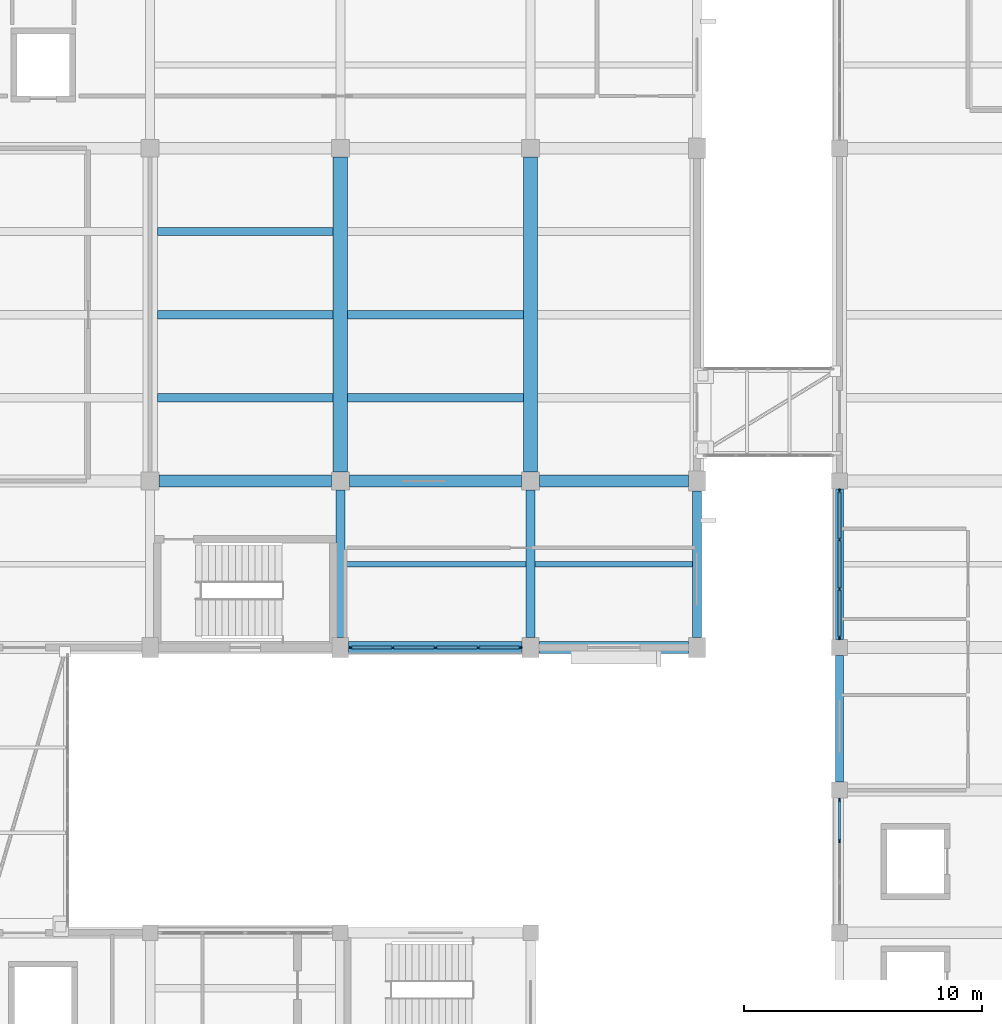
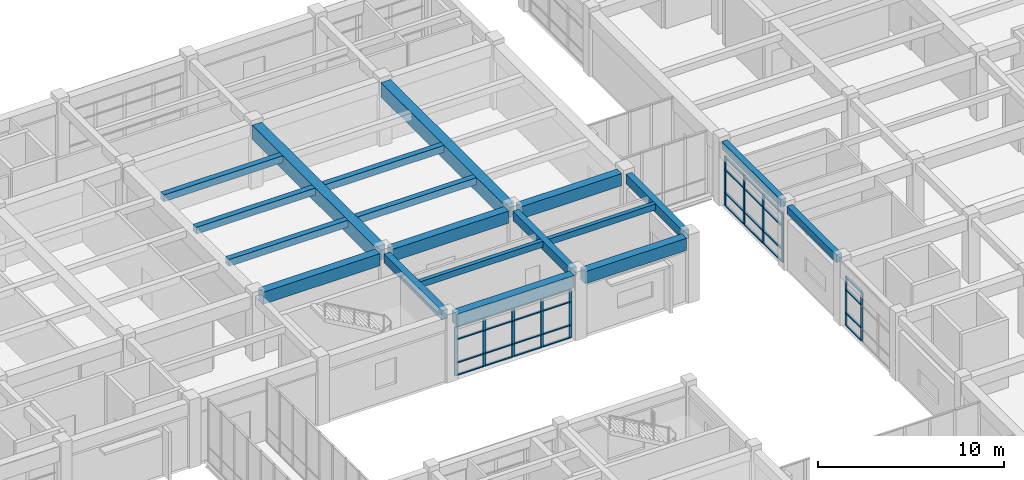
# One storey, part 27 of 72: 43 members, 19 beams, 3 elements without a shape of their own.
"""IFC4 building model written with IfcOpenShell, lengths in metres."""

from ifc_helpers import new_model, si_unit, direction, frame, origin, origin_2d, place, context, subcontext, project, spatial, rectangle, extrude, material, layer, layer_set, material_profile, profile_set, type_object, element, aggregate, save


model = new_model("IFC4")

# Units and contexts
model_context = context("Model", 3, precision=1e-05, world=origin(), true_north=direction((0.0, 1.0)))
body_context = subcontext(model_context, "Body", "Model", "MODEL_VIEW")
ifc_project = project(units=[si_unit("LENGTHUNIT", "METRE"), si_unit("AREAUNIT", "SQUARE_METRE"), si_unit("VOLUMEUNIT", "CUBIC_METRE"), si_unit("PLANEANGLEUNIT", "RADIAN"), si_unit("MASSUNIT", "GRAM", prefix="KILO")], contexts=[model_context])

# Site, building, storey
site_placement = place(None, origin())
site = spatial("IfcSite", under=ifc_project, at=site_placement, CompositionType="ELEMENT")
building_placement = place(site_placement, origin())
building = spatial("IfcBuilding", under=site, at=building_placement, Name="Naurynzar Civic Courthouse", CompositionType="ELEMENT")
storey_placement = place(building_placement, frame((0.0, 0.0, 9.89990234375)))
storey = spatial("IfcBuildingStorey", under=building, at=storey_placement, Name="L03", CompositionType="ELEMENT", Elevation=9.89990234375)

# Beams
ifc_material_1 = material(Name="Concrete C40/50", Category="concrete")
ifc_material_profile_1 = material_profile(ifc_material_1, rectangle(XDim=0.25, YDim=0.39990234375, at=origin_2d()), Name="RCB 250x400")
ifc_profile_set_1 = profile_set([ifc_material_profile_1], Name="Concrete C40/50")
beam_type_1 = type_object("IfcBeamType", Name="BM-JST-250x400", PredefinedType="JOIST", material=ifc_profile_set_1)
beam_1_placement = place(storey_placement, frame((109.1875, 47.5, 4.0), z_axis=(1.0, 0.0, 0.0), x_axis=(0.0, 1.0, 0.0)))
element("IfcBeam", 1, at=beam_1_placement, inside=storey, type_object=beam_type_1, Name="V2 secondary rib 622 L03", PredefinedType="JOIST", context=body_context, shape_type="SweptSolid", body=[
    extrude(rectangle(XDim=0.25, YDim=0.39990234375, at=origin_2d()), origin(), (0.0, 0.0, 1.0), 7.625),
])
beam_2_placement = place(storey_placement, frame((117.1875, 47.5, 4.0), z_axis=(1.0, 0.0, 0.0), x_axis=(0.0, 1.0, 0.0)))
element("IfcBeam", 2, at=beam_2_placement, inside=storey, type_object=beam_type_1, Name="V2 secondary rib 623 L03", PredefinedType="JOIST", context=body_context, shape_type="SweptSolid", body=[
    extrude(rectangle(XDim=0.25, YDim=0.39990234375, at=origin_2d()), origin(), (0.0, 0.0, 1.0), 6.625),
])
ifc_material_2 = material(Name="Concrete C40/50", Category="concrete")
ifc_material_profile_2 = material_profile(ifc_material_2, rectangle(XDim=0.60009765625, YDim=0.949951171875, at=origin_2d()), Name="PTB 600x950")
ifc_profile_set_2 = profile_set([ifc_material_profile_2], Name="Concrete C40/50")
beam_type_2 = type_object("IfcBeamType", Name="BM-PT-600x950", PredefinedType="T_BEAM", material=ifc_profile_set_2)
for number, where, z_axis, x_axis, name in (
    (3, (109.0, 51.375, 3.72509765625), (0.0, 1.0, 0.0), (-1.0, 0.0, 0.0), "V2 girder Y-612 L03"),
    (4, (117.0, 51.375, 3.72509765625), (0.0, 1.0, 0.0), (-1.0, 0.0, 0.0), "V2 girder Y-615 L03"),
):
    element("IfcBeam", number, at=place(storey_placement, frame(where, z_axis=z_axis, x_axis=x_axis)), inside=storey, type_object=beam_type_2, Name=name, PredefinedType="T_BEAM", context=body_context, shape_type="SweptSolid", body=[
        extrude(rectangle(XDim=0.60009765625, YDim=0.949951171875, at=origin_2d()), origin(), (0.0, 0.0, 1.0), 13.25),
    ])
ifc_material_3 = material(Name="Concrete C40/50", Category="concrete")
ifc_material_profile_3 = material_profile(ifc_material_3, rectangle(XDim=0.35009765625, YDim=0.449951171875, at=origin_2d()), Name="RCB 350x450")
ifc_profile_set_3 = profile_set([ifc_material_profile_3], Name="Concrete C40/50")
beam_type_3 = type_object("IfcBeamType", Name="BM-RC-350x450", PredefinedType="BEAM", material=ifc_profile_set_3)
for number, where, z_axis, x_axis, name in (
    (5, (101.300048828125, 54.5, 3.97509765625), (1.0, 0.0, 0.0), (0.0, 1.0, 0.0), "V2 secondary rib 639 L03"),
    (6, (101.300048828125, 58.0, 3.97509765625), (1.0, 0.0, 0.0), (0.0, 1.0, 0.0), "V2 secondary rib 640 L03"),
    (7, (101.300048828125, 61.5, 3.97509765625), (1.0, 0.0, 0.0), (0.0, 1.0, 0.0), "V2 secondary rib 641 L03"),
    (8, (109.300048828125, 54.5, 3.97509765625), (1.0, 0.0, 0.0), (0.0, 1.0, 0.0), "V2 secondary rib 642 L03"),
    (9, (109.300048828125, 58.0, 3.97509765625), (1.0, 0.0, 0.0), (0.0, 1.0, 0.0), "V2 secondary rib 643 L03"),
):
    element("IfcBeam", number, at=place(storey_placement, frame(where, z_axis=z_axis, x_axis=x_axis)), inside=storey, type_object=beam_type_3, Name=name, PredefinedType="BEAM", context=body_context, shape_type="SweptSolid", body=[
        extrude(rectangle(XDim=0.35009765625, YDim=0.449951171875, at=origin_2d()), origin(), (0.0, 0.0, 1.0), 7.39990234375),
    ])
ifc_material_4 = material(Name="Concrete C40/50", Category="concrete")
ifc_material_profile_4 = material_profile(ifc_material_4, rectangle(XDim=0.35009765625, YDim=0.5, at=origin_2d()), Name="RCB 350x500")
ifc_profile_set_4 = profile_set([ifc_material_profile_4], Name="Concrete C40/50")
beam_type_4 = type_object("IfcBeamType", Name="BM-RC-350x500", PredefinedType="BEAM", material=ifc_profile_set_4)
beam_3_placement = place(storey_placement, frame((130.0, 38.33740234375, 3.9501953125), z_axis=(0.0, 1.0, 0.0), x_axis=(-1.0, 0.0, 0.0)))
element("IfcBeam", 10, at=beam_3_placement, inside=storey, type_object=beam_type_4, Name="V5 girder Y-2428 L03", PredefinedType="BEAM", context=body_context, shape_type="SweptSolid", body=[
    extrude(rectangle(XDim=0.35009765625, YDim=0.5, at=origin_2d()), origin(), (0.0, 0.0, 1.0), 5.3251953125),
])
beam_4_placement = place(storey_placement, frame((130.0, 44.33740234375, 3.9501953125), z_axis=(0.0, 1.0, 0.0), x_axis=(-1.0, 0.0, 0.0)))
element("IfcBeam", 11, at=beam_4_placement, inside=storey, type_object=beam_type_4, Name="V5 girder Y-2429 L03", PredefinedType="BEAM", context=body_context, shape_type="SweptSolid", body=[
    extrude(rectangle(XDim=0.35009765625, YDim=0.5, at=origin_2d()), origin(), (0.0, 0.0, 1.0), 6.3251953125),
])
ifc_material_5 = material(Name="Concrete C40/50", Category="concrete")
ifc_material_profile_5 = material_profile(ifc_material_5, rectangle(XDim=0.375, YDim=0.60009765625, at=origin_2d()), Name="RCB 375x600")
ifc_profile_set_5 = profile_set([ifc_material_profile_5], Name="Concrete C40/50")
beam_type_5 = type_object("IfcBeamType", Name="BM-RC-375x600", PredefinedType="BEAM", material=ifc_profile_set_5)
for number, where, z_axis, x_axis, name in (
    (12, (109.0, 44.425048828125, 3.900146484375), (0.0, 1.0, 0.0), (-1.0, 0.0, 0.0), "V2 girder Y-611 L03"),
    (13, (117.0, 44.425048828125, 3.900146484375), (0.0, 1.0, 0.0), (-1.0, 0.0, 0.0), "V2 girder Y-614 L03"),
):
    element("IfcBeam", number, at=place(storey_placement, frame(where, z_axis=z_axis, x_axis=x_axis)), inside=storey, type_object=beam_type_5, Name=name, PredefinedType="BEAM", context=body_context, shape_type="SweptSolid", body=[
        extrude(rectangle(XDim=0.375, YDim=0.60009765625, at=origin_2d()), origin(), (0.0, 0.0, 1.0), 6.199951171875),
    ])
beam_5_placement = place(storey_placement, frame((124.0, 44.425048828125, 3.900146484375), z_axis=(0.0, 1.0, 0.0), x_axis=(-1.0, 0.0, 0.0)))
element("IfcBeam", 14, at=beam_5_placement, inside=storey, type_object=beam_type_5, Name="V2 girder Y-617 L03", PredefinedType="BEAM", context=body_context, shape_type="SweptSolid", body=[
    extrude(rectangle(XDim=0.375, YDim=0.60009765625, at=origin_2d()), origin(), (0.0, 0.0, 1.0), 6.14990234375),
])
ifc_material_6 = material(Name="Concrete C40/50", Category="concrete")
ifc_material_profile_6 = material_profile(ifc_material_6, rectangle(XDim=0.5, YDim=0.800048828125, at=origin_2d()), Name="RCB 500x800")
ifc_profile_set_6 = profile_set([ifc_material_profile_6], Name="Concrete C40/50")
beam_type_6 = type_object("IfcBeamType", Name="BM-RC-500x800", PredefinedType="BEAM", material=ifc_profile_set_6)
beam_6_placement = place(storey_placement, frame((109.35009765625, 44.0, 3.800048828125), z_axis=(1.0, 0.0, 0.0), x_axis=(0.0, 1.0, 0.0)))
element("IfcBeam", 15, at=beam_6_placement, inside=storey, type_object=beam_type_6, Name="V2 beam X-567 L03", PredefinedType="BEAM", context=body_context, shape_type="SweptSolid", body=[
    extrude(rectangle(XDim=0.5, YDim=0.800048828125, at=origin_2d()), origin(), (0.0, 0.0, 1.0), 7.2998046875),
])
beam_7_placement = place(storey_placement, frame((117.35009765625, 44.0, 3.800048828125), z_axis=(1.0, 0.0, 0.0), x_axis=(0.0, 1.0, 0.0)))
element("IfcBeam", 16, at=beam_7_placement, inside=storey, type_object=beam_type_6, Name="V2 beam X-568 L03", PredefinedType="BEAM", context=body_context, shape_type="SweptSolid", body=[
    extrude(rectangle(XDim=0.5, YDim=0.800048828125, at=origin_2d()), origin(), (0.0, 0.0, 1.0), 6.2998046875),
])
for number, where, z_axis, x_axis, name in (
    (17, (101.375, 51.0, 3.800048828125), (1.0, 0.0, 0.0), (0.0, 1.0, 0.0), "V2 beam X-574 L03"),
    (18, (109.375, 51.0, 3.800048828125), (1.0, 0.0, 0.0), (0.0, 1.0, 0.0), "V2 beam X-575 L03"),
):
    element("IfcBeam", number, at=place(storey_placement, frame(where, z_axis=z_axis, x_axis=x_axis)), inside=storey, type_object=beam_type_6, Name=name, PredefinedType="BEAM", context=body_context, shape_type="SweptSolid", body=[
        extrude(rectangle(XDim=0.5, YDim=0.800048828125, at=origin_2d()), origin(), (0.0, 0.0, 1.0), 7.25),
    ])
beam_8_placement = place(storey_placement, frame((117.375, 51.0, 3.800048828125), z_axis=(1.0, 0.0, 0.0), x_axis=(0.0, 1.0, 0.0)))
element("IfcBeam", 19, at=beam_8_placement, inside=storey, type_object=beam_type_6, Name="V2 beam X-576 L03", PredefinedType="BEAM", context=body_context, shape_type="SweptSolid", body=[
    extrude(rectangle(XDim=0.5, YDim=0.800048828125, at=origin_2d()), origin(), (0.0, 0.0, 1.0), 6.27490234375),
])

# Curtain wall, members
ifc_material_7 = material(Name="Aluminium 6063-T6", Category="aluminium")
ifc_layer = layer(ifc_material_7, 0.159912109375)
ifc_layer_set = layer_set([ifc_layer], Name="CW-UNIT-1800")
curtain_wall_type = type_object("IfcCurtainWallType", Name="CW-UNIT-1800", PredefinedType="NOTDEFINED", material=ifc_layer_set)
curtain_wall_1_placement = place(storey_placement, origin())
curtain_wall_1 = element("IfcCurtainWall", 20, at=curtain_wall_1_placement, inside=storey, type_object=curtain_wall_type, Name="V2 unitised curtain wall 28 L03", PredefinedType="NOTDEFINED")
ifc_material_8 = material(Name="Aluminium 6063-T6", Category="aluminium")
ifc_material_profile_7 = material_profile(ifc_material_8, rectangle(XDim=0.070068359375, YDim=0.179931640625, at=origin_2d()), Name="ALU MULLION 70x180")
ifc_profile_set_7 = profile_set([ifc_material_profile_7], Name="Aluminium 6063-T6")
member_type_1 = type_object("IfcMemberType", Name="CWM-70x180", PredefinedType="MULLION", material=ifc_profile_set_7)
member_1_placement = place(storey_placement, frame((116.56494140625, 44.0, 0.0), z_axis=(0.0, 0.0, 1.0), x_axis=(0.0, -1.0, 0.0)))
member_1 = element("IfcMember", 21, at=member_1_placement, type_object=member_type_1, Name="CW-02 mullion 1", PredefinedType="MULLION", context=body_context, shape_type="SweptSolid", body=[
    extrude(rectangle(XDim=0.070068359375, YDim=0.179931640625, at=origin_2d()), origin(), (0.0, 0.0, 1.0), 3.22998046875),
])
member_2_placement = place(storey_placement, frame((114.800048828125, 44.0, 0.0), z_axis=(0.0, 0.0, 1.0), x_axis=(0.0, -1.0, 0.0)))
member_2 = element("IfcMember", 22, at=member_2_placement, type_object=member_type_1, Name="CW-02 mullion 2", PredefinedType="MULLION", context=body_context, shape_type="SweptSolid", body=[
    extrude(rectangle(XDim=0.070068359375, YDim=0.179931640625, at=origin_2d()), origin(), (0.0, 0.0, 1.0), 3.22998046875),
])
member_3_placement = place(storey_placement, frame((113.0, 44.0, 0.0), z_axis=(0.0, 0.0, 1.0), x_axis=(0.0, -1.0, 0.0)))
member_3 = element("IfcMember", 23, at=member_3_placement, type_object=member_type_1, Name="CW-02 mullion 3", PredefinedType="MULLION", context=body_context, shape_type="SweptSolid", body=[
    extrude(rectangle(XDim=0.070068359375, YDim=0.179931640625, at=origin_2d()), origin(), (0.0, 0.0, 1.0), 3.22998046875),
])
member_4_placement = place(storey_placement, frame((111.199951171875, 44.0, 0.0), z_axis=(0.0, 0.0, 1.0), x_axis=(0.0, -1.0, 0.0)))
member_4 = element("IfcMember", 24, at=member_4_placement, type_object=member_type_1, Name="CW-02 mullion 4", PredefinedType="MULLION", context=body_context, shape_type="SweptSolid", body=[
    extrude(rectangle(XDim=0.070068359375, YDim=0.179931640625, at=origin_2d()), origin(), (0.0, 0.0, 1.0), 3.22998046875),
])
member_5_placement = place(storey_placement, frame((109.43505859375, 44.0, 0.0), z_axis=(0.0, 0.0, 1.0), x_axis=(0.0, -1.0, 0.0)))
member_5 = element("IfcMember", 25, at=member_5_placement, type_object=member_type_1, Name="CW-02 mullion 5", PredefinedType="MULLION", context=body_context, shape_type="SweptSolid", body=[
    extrude(rectangle(XDim=0.070068359375, YDim=0.179931640625, at=origin_2d()), origin(), (0.0, 0.0, 1.0), 3.22998046875),
])

curtain_wall_2_placement = place(storey_placement, origin())
curtain_wall_2 = element("IfcCurtainWall", 26, at=curtain_wall_2_placement, inside=storey, type_object=curtain_wall_type, Name="V5 unitised curtain wall 91 L03", PredefinedType="NOTDEFINED")
member_6_placement = place(storey_placement, frame((130.0, 35.870849609375, 0.0), z_axis=(0.0, 0.0, 1.0), x_axis=(-1.0, 0.0, 0.0)))
member_6 = element("IfcMember", 27, at=member_6_placement, type_object=member_type_1, Name="CW-02 mullion 3", PredefinedType="MULLION", context=body_context, shape_type="SweptSolid", body=[
    extrude(rectangle(XDim=0.070068359375, YDim=0.179931640625, at=origin_2d()), origin(), (0.0, 0.0, 1.0), 3.22998046875),
])
member_7_placement = place(storey_placement, frame((130.0, 37.577392578125, 0.0), z_axis=(0.0, 0.0, 1.0), x_axis=(-1.0, 0.0, 0.0)))
member_7 = element("IfcMember", 28, at=member_7_placement, type_object=member_type_1, Name="CW-02 mullion 4", PredefinedType="MULLION", context=body_context, shape_type="SweptSolid", body=[
    extrude(rectangle(XDim=0.070068359375, YDim=0.179931640625, at=origin_2d()), origin(), (0.0, 0.0, 1.0), 3.22998046875),
])

curtain_wall_3_placement = place(storey_placement, origin())
curtain_wall_3 = element("IfcCurtainWall", 29, at=curtain_wall_3_placement, inside=storey, type_object=curtain_wall_type, Name="V5 unitised curtain wall 92 L03", PredefinedType="NOTDEFINED")
member_8_placement = place(storey_placement, frame((130.0, 44.422607421875, 0.0), z_axis=(0.0, 0.0, 1.0), x_axis=(-1.0, 0.0, 0.0)))
member_8 = element("IfcMember", 30, at=member_8_placement, type_object=member_type_1, Name="CW-02 mullion 1", PredefinedType="MULLION", context=body_context, shape_type="SweptSolid", body=[
    extrude(rectangle(XDim=0.070068359375, YDim=0.179931640625, at=origin_2d()), origin(), (0.0, 0.0, 1.0), 3.22998046875),
])
member_9_placement = place(storey_placement, frame((130.0, 46.46240234375, 0.0), z_axis=(0.0, 0.0, 1.0), x_axis=(-1.0, 0.0, 0.0)))
member_9 = element("IfcMember", 31, at=member_9_placement, type_object=member_type_1, Name="CW-02 mullion 2", PredefinedType="MULLION", context=body_context, shape_type="SweptSolid", body=[
    extrude(rectangle(XDim=0.070068359375, YDim=0.179931640625, at=origin_2d()), origin(), (0.0, 0.0, 1.0), 3.22998046875),
])
member_10_placement = place(storey_placement, frame((130.0, 48.53759765625, 0.0), z_axis=(0.0, 0.0, 1.0), x_axis=(-1.0, 0.0, 0.0)))
member_10 = element("IfcMember", 32, at=member_10_placement, type_object=member_type_1, Name="CW-02 mullion 3", PredefinedType="MULLION", context=body_context, shape_type="SweptSolid", body=[
    extrude(rectangle(XDim=0.070068359375, YDim=0.179931640625, at=origin_2d()), origin(), (0.0, 0.0, 1.0), 3.22998046875),
])
member_11_placement = place(storey_placement, frame((130.0, 50.577392578125, 0.0), z_axis=(0.0, 0.0, 1.0), x_axis=(-1.0, 0.0, 0.0)))
member_11 = element("IfcMember", 33, at=member_11_placement, type_object=member_type_1, Name="CW-02 mullion 4", PredefinedType="MULLION", context=body_context, shape_type="SweptSolid", body=[
    extrude(rectangle(XDim=0.070068359375, YDim=0.179931640625, at=origin_2d()), origin(), (0.0, 0.0, 1.0), 3.22998046875),
])

# Member
ifc_material_9 = material(Name="Aluminium 6063-T6", Category="aluminium")
ifc_material_profile_8 = material_profile(ifc_material_9, rectangle(XDim=0.1298828125, YDim=0.070068359375, at=origin_2d()), Name="ALU TRANSOM 70x130")
ifc_profile_set_8 = profile_set([ifc_material_profile_8], Name="Aluminium 6063-T6")
member_type_2 = type_object("IfcMemberType", Name="CWT-70x130", PredefinedType="USERDEFINED", material=ifc_profile_set_8)
member_12_placement = place(storey_placement, frame((116.530029296875, 44.0, 0.03515625), z_axis=(-1.0, 0.0, 0.0), x_axis=(0.0, -1.0, 0.0)))
member_12 = element("IfcMember", 34, at=member_12_placement, type_object=member_type_2, Name="CW-02 transom 1.1", ObjectType="TRANSOM", PredefinedType="USERDEFINED", context=body_context, shape_type="SweptSolid", body=[
    extrude(rectangle(XDim=0.1298828125, YDim=0.070068359375, at=origin_2d()), origin(), (0.0, 0.0, 1.0), 1.695068359375),
])

member_13_placement = place(storey_placement, frame((116.530029296875, 44.0, 0.85009765625), z_axis=(-1.0, 0.0, 0.0), x_axis=(0.0, -1.0, 0.0)))
member_13 = element("IfcMember", 35, at=member_13_placement, type_object=member_type_2, Name="CW-02 transom 1.2", ObjectType="TRANSOM", PredefinedType="USERDEFINED", context=body_context, shape_type="SweptSolid", body=[
    extrude(rectangle(XDim=0.1298828125, YDim=0.070068359375, at=origin_2d()), origin(), (0.0, 0.0, 1.0), 1.695068359375),
])

member_14_placement = place(storey_placement, frame((116.530029296875, 44.0, 2.380126953125), z_axis=(-1.0, 0.0, 0.0), x_axis=(0.0, -1.0, 0.0)))
member_14 = element("IfcMember", 36, at=member_14_placement, type_object=member_type_2, Name="CW-02 transom 1.3", ObjectType="TRANSOM", PredefinedType="USERDEFINED", context=body_context, shape_type="SweptSolid", body=[
    extrude(rectangle(XDim=0.1298828125, YDim=0.070068359375, at=origin_2d()), origin(), (0.0, 0.0, 1.0), 1.695068359375),
])

member_15_placement = place(storey_placement, frame((116.530029296875, 44.0, 3.195068359375), z_axis=(-1.0, 0.0, 0.0), x_axis=(0.0, -1.0, 0.0)))
member_15 = element("IfcMember", 37, at=member_15_placement, type_object=member_type_2, Name="CW-02 transom 1.4", ObjectType="TRANSOM", PredefinedType="USERDEFINED", context=body_context, shape_type="SweptSolid", body=[
    extrude(rectangle(XDim=0.1298828125, YDim=0.070068359375, at=origin_2d()), origin(), (0.0, 0.0, 1.0), 1.695068359375),
])

member_16_placement = place(storey_placement, frame((114.764892578125, 44.0, 0.03515625), z_axis=(-1.0, 0.0, 0.0), x_axis=(0.0, -1.0, 0.0)))
member_16 = element("IfcMember", 38, at=member_16_placement, type_object=member_type_2, Name="CW-02 transom 2.1", ObjectType="TRANSOM", PredefinedType="USERDEFINED", context=body_context, shape_type="SweptSolid", body=[
    extrude(rectangle(XDim=0.1298828125, YDim=0.070068359375, at=origin_2d()), origin(), (0.0, 0.0, 1.0), 1.72998046875),
])

member_17_placement = place(storey_placement, frame((114.764892578125, 44.0, 0.85009765625), z_axis=(-1.0, 0.0, 0.0), x_axis=(0.0, -1.0, 0.0)))
member_17 = element("IfcMember", 39, at=member_17_placement, type_object=member_type_2, Name="CW-02 transom 2.2", ObjectType="TRANSOM", PredefinedType="USERDEFINED", context=body_context, shape_type="SweptSolid", body=[
    extrude(rectangle(XDim=0.1298828125, YDim=0.070068359375, at=origin_2d()), origin(), (0.0, 0.0, 1.0), 1.72998046875),
])

member_18_placement = place(storey_placement, frame((114.764892578125, 44.0, 2.380126953125), z_axis=(-1.0, 0.0, 0.0), x_axis=(0.0, -1.0, 0.0)))
member_18 = element("IfcMember", 40, at=member_18_placement, type_object=member_type_2, Name="CW-02 transom 2.3", ObjectType="TRANSOM", PredefinedType="USERDEFINED", context=body_context, shape_type="SweptSolid", body=[
    extrude(rectangle(XDim=0.1298828125, YDim=0.070068359375, at=origin_2d()), origin(), (0.0, 0.0, 1.0), 1.72998046875),
])

member_19_placement = place(storey_placement, frame((114.764892578125, 44.0, 3.195068359375), z_axis=(-1.0, 0.0, 0.0), x_axis=(0.0, -1.0, 0.0)))
member_19 = element("IfcMember", 41, at=member_19_placement, type_object=member_type_2, Name="CW-02 transom 2.4", ObjectType="TRANSOM", PredefinedType="USERDEFINED", context=body_context, shape_type="SweptSolid", body=[
    extrude(rectangle(XDim=0.1298828125, YDim=0.070068359375, at=origin_2d()), origin(), (0.0, 0.0, 1.0), 1.72998046875),
])

member_20_placement = place(storey_placement, frame((112.965087890625, 44.0, 0.03515625), z_axis=(-1.0, 0.0, 0.0), x_axis=(0.0, -1.0, 0.0)))
member_20 = element("IfcMember", 42, at=member_20_placement, type_object=member_type_2, Name="CW-02 transom 3.1", ObjectType="TRANSOM", PredefinedType="USERDEFINED", context=body_context, shape_type="SweptSolid", body=[
    extrude(rectangle(XDim=0.1298828125, YDim=0.070068359375, at=origin_2d()), origin(), (0.0, 0.0, 1.0), 1.72998046875),
])

member_21_placement = place(storey_placement, frame((112.965087890625, 44.0, 0.85009765625), z_axis=(-1.0, 0.0, 0.0), x_axis=(0.0, -1.0, 0.0)))
member_21 = element("IfcMember", 43, at=member_21_placement, type_object=member_type_2, Name="CW-02 transom 3.2", ObjectType="TRANSOM", PredefinedType="USERDEFINED", context=body_context, shape_type="SweptSolid", body=[
    extrude(rectangle(XDim=0.1298828125, YDim=0.070068359375, at=origin_2d()), origin(), (0.0, 0.0, 1.0), 1.72998046875),
])

member_22_placement = place(storey_placement, frame((112.965087890625, 44.0, 2.380126953125), z_axis=(-1.0, 0.0, 0.0), x_axis=(0.0, -1.0, 0.0)))
member_22 = element("IfcMember", 44, at=member_22_placement, type_object=member_type_2, Name="CW-02 transom 3.3", ObjectType="TRANSOM", PredefinedType="USERDEFINED", context=body_context, shape_type="SweptSolid", body=[
    extrude(rectangle(XDim=0.1298828125, YDim=0.070068359375, at=origin_2d()), origin(), (0.0, 0.0, 1.0), 1.72998046875),
])

member_23_placement = place(storey_placement, frame((112.965087890625, 44.0, 3.195068359375), z_axis=(-1.0, 0.0, 0.0), x_axis=(0.0, -1.0, 0.0)))
member_23 = element("IfcMember", 45, at=member_23_placement, type_object=member_type_2, Name="CW-02 transom 3.4", ObjectType="TRANSOM", PredefinedType="USERDEFINED", context=body_context, shape_type="SweptSolid", body=[
    extrude(rectangle(XDim=0.1298828125, YDim=0.070068359375, at=origin_2d()), origin(), (0.0, 0.0, 1.0), 1.72998046875),
])

member_24_placement = place(storey_placement, frame((111.1650390625, 44.0, 0.03515625), z_axis=(-1.0, 0.0, 0.0), x_axis=(0.0, -1.0, 0.0)))
member_24 = element("IfcMember", 46, at=member_24_placement, type_object=member_type_2, Name="CW-02 transom 4.1", ObjectType="TRANSOM", PredefinedType="USERDEFINED", context=body_context, shape_type="SweptSolid", body=[
    extrude(rectangle(XDim=0.1298828125, YDim=0.070068359375, at=origin_2d()), origin(), (0.0, 0.0, 1.0), 1.695068359375),
])

member_25_placement = place(storey_placement, frame((111.1650390625, 44.0, 0.85009765625), z_axis=(-1.0, 0.0, 0.0), x_axis=(0.0, -1.0, 0.0)))
member_25 = element("IfcMember", 47, at=member_25_placement, type_object=member_type_2, Name="CW-02 transom 4.2", ObjectType="TRANSOM", PredefinedType="USERDEFINED", context=body_context, shape_type="SweptSolid", body=[
    extrude(rectangle(XDim=0.1298828125, YDim=0.070068359375, at=origin_2d()), origin(), (0.0, 0.0, 1.0), 1.695068359375),
])

member_26_placement = place(storey_placement, frame((111.1650390625, 44.0, 2.380126953125), z_axis=(-1.0, 0.0, 0.0), x_axis=(0.0, -1.0, 0.0)))
member_26 = element("IfcMember", 48, at=member_26_placement, type_object=member_type_2, Name="CW-02 transom 4.3", ObjectType="TRANSOM", PredefinedType="USERDEFINED", context=body_context, shape_type="SweptSolid", body=[
    extrude(rectangle(XDim=0.1298828125, YDim=0.070068359375, at=origin_2d()), origin(), (0.0, 0.0, 1.0), 1.695068359375),
])

member_27_placement = place(storey_placement, frame((111.1650390625, 44.0, 3.195068359375), z_axis=(-1.0, 0.0, 0.0), x_axis=(0.0, -1.0, 0.0)))
member_27 = element("IfcMember", 49, at=member_27_placement, type_object=member_type_2, Name="CW-02 transom 4.4", ObjectType="TRANSOM", PredefinedType="USERDEFINED", context=body_context, shape_type="SweptSolid", body=[
    extrude(rectangle(XDim=0.1298828125, YDim=0.070068359375, at=origin_2d()), origin(), (0.0, 0.0, 1.0), 1.695068359375),
])

aggregate(curtain_wall_1, [member_1, member_2, member_3, member_4, member_5, member_12, member_13, member_14, member_15, member_16, member_17, member_18, member_19, member_20, member_21, member_22, member_23, member_24, member_25, member_26, member_27])

member_28_placement = place(storey_placement, frame((130.0, 35.90576171875, 0.03515625), z_axis=(0.0, 1.0, 0.0), x_axis=(-1.0, 0.0, 0.0)))
member_28 = element("IfcMember", 50, at=member_28_placement, type_object=member_type_2, Name="CW-02 transom 3.1", ObjectType="TRANSOM", PredefinedType="USERDEFINED", context=body_context, shape_type="SweptSolid", body=[
    extrude(rectangle(XDim=0.1298828125, YDim=0.070068359375, at=origin_2d()), origin(), (0.0, 0.0, 1.0), 1.63671875),
])

member_29_placement = place(storey_placement, frame((130.0, 35.90576171875, 0.85009765625), z_axis=(0.0, 1.0, 0.0), x_axis=(-1.0, 0.0, 0.0)))
member_29 = element("IfcMember", 51, at=member_29_placement, type_object=member_type_2, Name="CW-02 transom 3.2", ObjectType="TRANSOM", PredefinedType="USERDEFINED", context=body_context, shape_type="SweptSolid", body=[
    extrude(rectangle(XDim=0.1298828125, YDim=0.070068359375, at=origin_2d()), origin(), (0.0, 0.0, 1.0), 1.63671875),
])

member_30_placement = place(storey_placement, frame((130.0, 35.90576171875, 2.380126953125), z_axis=(0.0, 1.0, 0.0), x_axis=(-1.0, 0.0, 0.0)))
member_30 = element("IfcMember", 52, at=member_30_placement, type_object=member_type_2, Name="CW-02 transom 3.3", ObjectType="TRANSOM", PredefinedType="USERDEFINED", context=body_context, shape_type="SweptSolid", body=[
    extrude(rectangle(XDim=0.1298828125, YDim=0.070068359375, at=origin_2d()), origin(), (0.0, 0.0, 1.0), 1.63671875),
])

member_31_placement = place(storey_placement, frame((130.0, 35.90576171875, 3.195068359375), z_axis=(0.0, 1.0, 0.0), x_axis=(-1.0, 0.0, 0.0)))
member_31 = element("IfcMember", 53, at=member_31_placement, type_object=member_type_2, Name="CW-02 transom 3.4", ObjectType="TRANSOM", PredefinedType="USERDEFINED", context=body_context, shape_type="SweptSolid", body=[
    extrude(rectangle(XDim=0.1298828125, YDim=0.070068359375, at=origin_2d()), origin(), (0.0, 0.0, 1.0), 1.63671875),
])

aggregate(curtain_wall_2, [member_6, member_7, member_28, member_29, member_30, member_31])

member_32_placement = place(storey_placement, frame((130.0, 44.45751953125, 0.03515625), z_axis=(0.0, 1.0, 0.0), x_axis=(-1.0, 0.0, 0.0)))
member_32 = element("IfcMember", 54, at=member_32_placement, type_object=member_type_2, Name="CW-02 transom 1.1", ObjectType="TRANSOM", PredefinedType="USERDEFINED", context=body_context, shape_type="SweptSolid", body=[
    extrude(rectangle(XDim=0.1298828125, YDim=0.070068359375, at=origin_2d()), origin(), (0.0, 0.0, 1.0), 1.969970703125),
])

member_33_placement = place(storey_placement, frame((130.0, 44.45751953125, 0.85009765625), z_axis=(0.0, 1.0, 0.0), x_axis=(-1.0, 0.0, 0.0)))
member_33 = element("IfcMember", 55, at=member_33_placement, type_object=member_type_2, Name="CW-02 transom 1.2", ObjectType="TRANSOM", PredefinedType="USERDEFINED", context=body_context, shape_type="SweptSolid", body=[
    extrude(rectangle(XDim=0.1298828125, YDim=0.070068359375, at=origin_2d()), origin(), (0.0, 0.0, 1.0), 1.969970703125),
])

member_34_placement = place(storey_placement, frame((130.0, 44.45751953125, 2.380126953125), z_axis=(0.0, 1.0, 0.0), x_axis=(-1.0, 0.0, 0.0)))
member_34 = element("IfcMember", 56, at=member_34_placement, type_object=member_type_2, Name="CW-02 transom 1.3", ObjectType="TRANSOM", PredefinedType="USERDEFINED", context=body_context, shape_type="SweptSolid", body=[
    extrude(rectangle(XDim=0.1298828125, YDim=0.070068359375, at=origin_2d()), origin(), (0.0, 0.0, 1.0), 1.969970703125),
])

member_35_placement = place(storey_placement, frame((130.0, 44.45751953125, 3.195068359375), z_axis=(0.0, 1.0, 0.0), x_axis=(-1.0, 0.0, 0.0)))
member_35 = element("IfcMember", 57, at=member_35_placement, type_object=member_type_2, Name="CW-02 transom 1.4", ObjectType="TRANSOM", PredefinedType="USERDEFINED", context=body_context, shape_type="SweptSolid", body=[
    extrude(rectangle(XDim=0.1298828125, YDim=0.070068359375, at=origin_2d()), origin(), (0.0, 0.0, 1.0), 1.969970703125),
])

member_36_placement = place(storey_placement, frame((130.0, 46.49755859375, 0.03515625), z_axis=(0.0, 1.0, 0.0), x_axis=(-1.0, 0.0, 0.0)))
member_36 = element("IfcMember", 58, at=member_36_placement, type_object=member_type_2, Name="CW-02 transom 2.1", ObjectType="TRANSOM", PredefinedType="USERDEFINED", context=body_context, shape_type="SweptSolid", body=[
    extrude(rectangle(XDim=0.1298828125, YDim=0.070068359375, at=origin_2d()), origin(), (0.0, 0.0, 1.0), 2.0048828125),
])

member_37_placement = place(storey_placement, frame((130.0, 46.49755859375, 0.85009765625), z_axis=(0.0, 1.0, 0.0), x_axis=(-1.0, 0.0, 0.0)))
member_37 = element("IfcMember", 59, at=member_37_placement, type_object=member_type_2, Name="CW-02 transom 2.2", ObjectType="TRANSOM", PredefinedType="USERDEFINED", context=body_context, shape_type="SweptSolid", body=[
    extrude(rectangle(XDim=0.1298828125, YDim=0.070068359375, at=origin_2d()), origin(), (0.0, 0.0, 1.0), 2.0048828125),
])

member_38_placement = place(storey_placement, frame((130.0, 46.49755859375, 2.380126953125), z_axis=(0.0, 1.0, 0.0), x_axis=(-1.0, 0.0, 0.0)))
member_38 = element("IfcMember", 60, at=member_38_placement, type_object=member_type_2, Name="CW-02 transom 2.3", ObjectType="TRANSOM", PredefinedType="USERDEFINED", context=body_context, shape_type="SweptSolid", body=[
    extrude(rectangle(XDim=0.1298828125, YDim=0.070068359375, at=origin_2d()), origin(), (0.0, 0.0, 1.0), 2.0048828125),
])

member_39_placement = place(storey_placement, frame((130.0, 46.49755859375, 3.195068359375), z_axis=(0.0, 1.0, 0.0), x_axis=(-1.0, 0.0, 0.0)))
member_39 = element("IfcMember", 61, at=member_39_placement, type_object=member_type_2, Name="CW-02 transom 2.4", ObjectType="TRANSOM", PredefinedType="USERDEFINED", context=body_context, shape_type="SweptSolid", body=[
    extrude(rectangle(XDim=0.1298828125, YDim=0.070068359375, at=origin_2d()), origin(), (0.0, 0.0, 1.0), 2.0048828125),
])

member_40_placement = place(storey_placement, frame((130.0, 48.572509765625, 0.03515625), z_axis=(0.0, 1.0, 0.0), x_axis=(-1.0, 0.0, 0.0)))
member_40 = element("IfcMember", 62, at=member_40_placement, type_object=member_type_2, Name="CW-02 transom 3.1", ObjectType="TRANSOM", PredefinedType="USERDEFINED", context=body_context, shape_type="SweptSolid", body=[
    extrude(rectangle(XDim=0.1298828125, YDim=0.070068359375, at=origin_2d()), origin(), (0.0, 0.0, 1.0), 1.969970703125),
])

member_41_placement = place(storey_placement, frame((130.0, 48.572509765625, 0.85009765625), z_axis=(0.0, 1.0, 0.0), x_axis=(-1.0, 0.0, 0.0)))
member_41 = element("IfcMember", 63, at=member_41_placement, type_object=member_type_2, Name="CW-02 transom 3.2", ObjectType="TRANSOM", PredefinedType="USERDEFINED", context=body_context, shape_type="SweptSolid", body=[
    extrude(rectangle(XDim=0.1298828125, YDim=0.070068359375, at=origin_2d()), origin(), (0.0, 0.0, 1.0), 1.969970703125),
])

member_42_placement = place(storey_placement, frame((130.0, 48.572509765625, 2.380126953125), z_axis=(0.0, 1.0, 0.0), x_axis=(-1.0, 0.0, 0.0)))
member_42 = element("IfcMember", 64, at=member_42_placement, type_object=member_type_2, Name="CW-02 transom 3.3", ObjectType="TRANSOM", PredefinedType="USERDEFINED", context=body_context, shape_type="SweptSolid", body=[
    extrude(rectangle(XDim=0.1298828125, YDim=0.070068359375, at=origin_2d()), origin(), (0.0, 0.0, 1.0), 1.969970703125),
])

member_43_placement = place(storey_placement, frame((130.0, 48.572509765625, 3.195068359375), z_axis=(0.0, 1.0, 0.0), x_axis=(-1.0, 0.0, 0.0)))
member_43 = element("IfcMember", 65, at=member_43_placement, type_object=member_type_2, Name="CW-02 transom 3.4", ObjectType="TRANSOM", PredefinedType="USERDEFINED", context=body_context, shape_type="SweptSolid", body=[
    extrude(rectangle(XDim=0.1298828125, YDim=0.070068359375, at=origin_2d()), origin(), (0.0, 0.0, 1.0), 1.969970703125),
])

aggregate(curtain_wall_3, [member_8, member_9, member_10, member_11, member_32, member_33, member_34, member_35, member_36, member_37, member_38, member_39, member_40, member_41, member_42, member_43])

save(model, "model.ifc")
